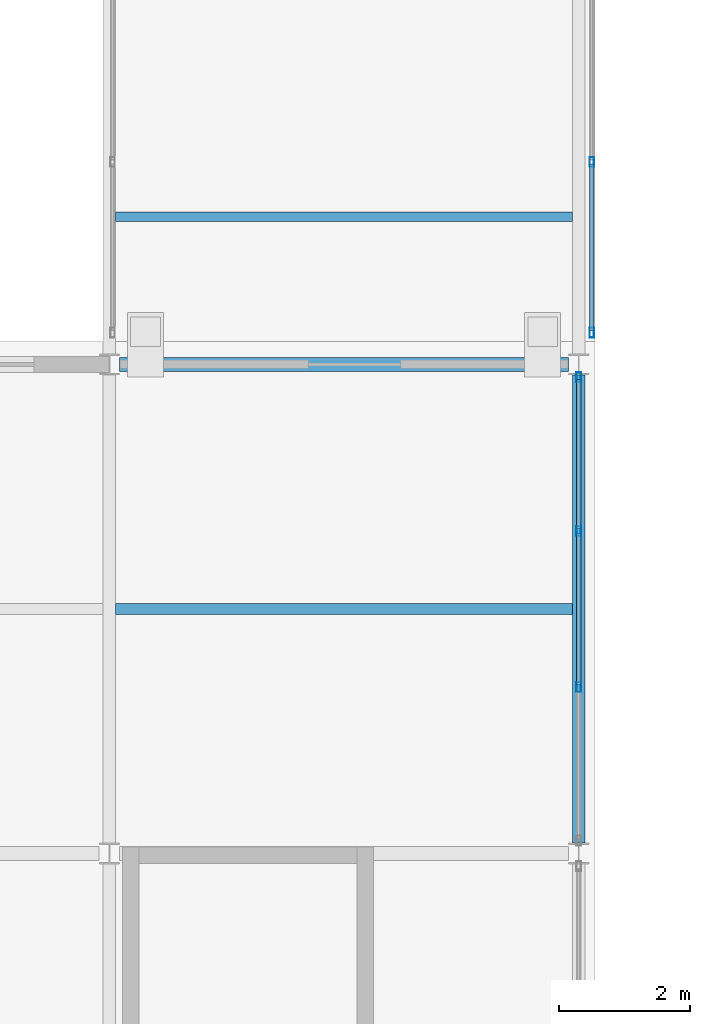
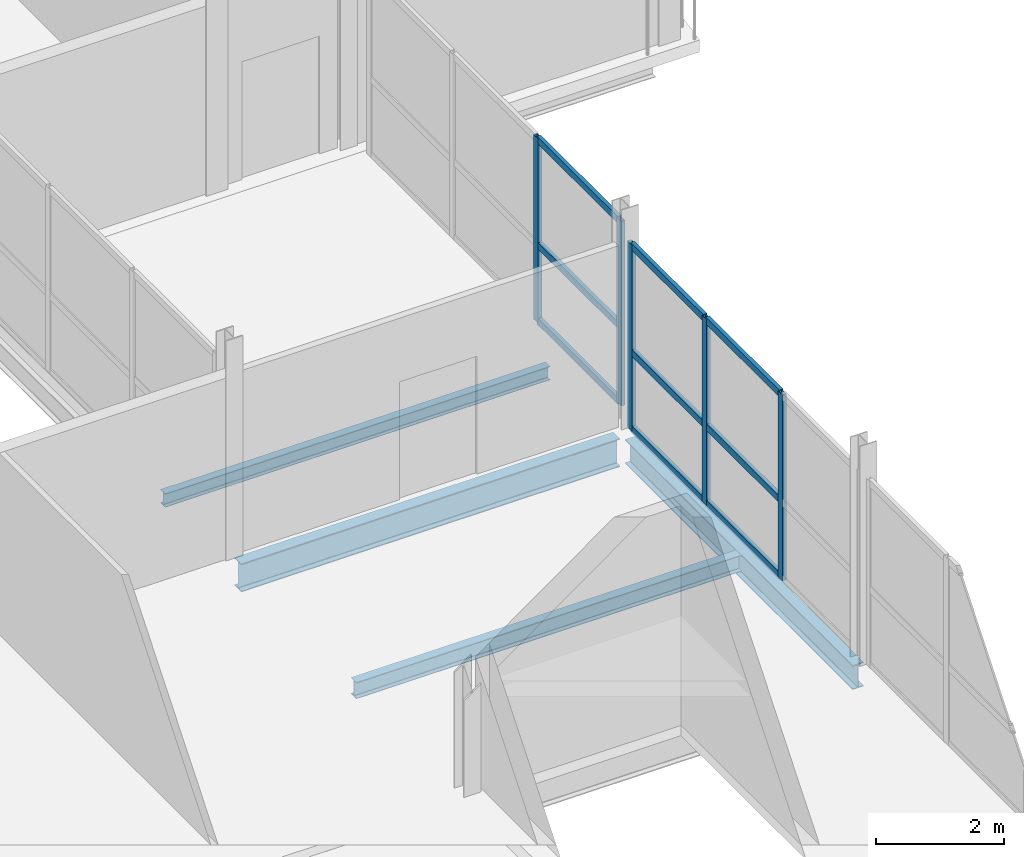
# One storey, part 19 of 60: 14 members, 4 beams, 2 elements without a shape of their own.
"""IFC4 building model written with IfcOpenShell, lengths in metres."""

from ifc_helpers import new_model, si_unit, direction, frame, origin, origin_2d, place, context, subcontext, project, spatial, hollow_rectangle, i_section, extrude, material, layer, layer_set, material_profile, profile_set, type_object, element, aggregate, save


model = new_model("IFC4")

# Units and contexts
model_context = context("Model", 3, precision=1e-05, world=origin(), true_north=direction((0.0, 1.0)))
body_context = subcontext(model_context, "Body", "Model", "MODEL_VIEW")
ifc_project = project(units=[si_unit("LENGTHUNIT", "METRE"), si_unit("AREAUNIT", "SQUARE_METRE"), si_unit("VOLUMEUNIT", "CUBIC_METRE"), si_unit("PLANEANGLEUNIT", "RADIAN"), si_unit("MASSUNIT", "GRAM", prefix="KILO")], contexts=[model_context])

# Site, building, storey
site_placement = place(None, origin())
site = spatial("IfcSite", under=ifc_project, at=site_placement, CompositionType="ELEMENT")
building_placement = place(site_placement, origin())
building = spatial("IfcBuilding", under=site, at=building_placement, Name="Quillay Park Conservatory", CompositionType="ELEMENT")
storey_placement = place(building_placement, frame((0.0, 0.0, 9.89990234375)))
storey = spatial("IfcBuildingStorey", under=building, at=storey_placement, Name="L02", CompositionType="ELEMENT", Elevation=9.89990234375)

# Beams
ifc_material_1 = material(Name="Steel ASTM A992 Grade 50", Category="steel")
ifc_material_profile_1 = material_profile(ifc_material_1, i_section(OverallWidth=0.14599609375, OverallDepth=0.258056640625, WebThickness=0.006103515625, FlangeThickness=0.009033203125, FilletRadius=0.009033203125, at=origin_2d()), Name="W250x33")
ifc_profile_set_1 = profile_set([ifc_material_profile_1], Name="Steel ASTM A992 Grade 50")
beam_type_1 = type_object("IfcBeamType", Name="COMPOSITE FLOOR JOIST W250 X33", PredefinedType="JOIST", material=ifc_profile_set_1)
beam_1_placement = place(storey_placement, frame((15.095947265625, 56.5, -0.348876953125), z_axis=(1.0, 0.0, 0.0), x_axis=(0.0, 1.0, 0.0)))
element("IfcBeam", 1, at=beam_1_placement, inside=storey, type_object=beam_type_1, Name="L02 beam BM-LB1J-1583", PredefinedType="JOIST", context=body_context, shape_type="SweptSolid", body=[
    extrude(i_section(OverallWidth=0.14599609375, OverallDepth=0.258056640625, WebThickness=0.006103515625, FlangeThickness=0.009033203125, FilletRadius=0.009033203125, at=origin_2d()), origin(), (0.0, 0.0, 1.0), 6.9580078125),
])
ifc_material_2 = material(Name="Steel ASTM A992 Grade 50", Category="steel")
ifc_material_profile_2 = material_profile(ifc_material_2, i_section(OverallWidth=0.166015625, OverallDepth=0.31298828125, WebThickness=0.006591796875, FlangeThickness=0.01123046875, FilletRadius=0.010009765625, at=origin_2d()), Name="W310x45")
ifc_profile_set_2 = profile_set([ifc_material_profile_2], Name="Steel ASTM A992 Grade 50")
beam_type_2 = type_object("IfcBeamType", Name="COMPOSITE FLOOR JOIST W310 X45", PredefinedType="JOIST", material=ifc_profile_set_2)
beam_2_placement = place(storey_placement, frame((15.095947265625, 50.52490234375, -0.351318359375), z_axis=(1.0, 0.0, 0.0), x_axis=(0.0, 1.0, 0.0)))
element("IfcBeam", 2, at=beam_2_placement, inside=storey, type_object=beam_type_2, Name="L02 beam BM-V3J-1397", PredefinedType="JOIST", context=body_context, shape_type="SweptSolid", body=[
    extrude(i_section(OverallWidth=0.166015625, OverallDepth=0.31298828125, WebThickness=0.006591796875, FlangeThickness=0.01123046875, FilletRadius=0.010009765625, at=origin_2d()), origin(), (0.0, 0.0, 1.0), 6.9580078125),
])

# Curtain wall, members
ifc_material_3 = material(Name="Thermally Broken Anodised Aluminium 6063-T6", Category="aluminium")
ifc_layer_1 = layer(ifc_material_3, 0.1650390625)
ifc_layer_set_1 = layer_set([ifc_layer_1], Name="UNITISED CURTAIN WALL PODIUM (Thermally Broken Anodised Aluminium 6063-T6)")
curtain_wall_type_1 = type_object("IfcCurtainWallType", Name="UNITISED CURTAIN WALL PODIUM", PredefinedType="USERDEFINED", material=ifc_layer_set_1)
curtain_wall_1_placement = place(storey_placement, origin())
curtain_wall_1 = element("IfcCurtainWall", 3, at=curtain_wall_1_placement, inside=storey, type_object=curtain_wall_type_1, Name="L02 Unitised Curtain Wall 209", ObjectType="UNITISED CURTAIN WALL", PredefinedType="USERDEFINED")
ifc_material_4 = material(Name="Thermally Broken Anodised Aluminium 6063-T6", Category="aluminium")
ifc_material_profile_3 = material_profile(ifc_material_4, hollow_rectangle(XDim=0.070068359375, YDim=0.14990234375, WallThickness=0.00341796875, at=origin_2d()), Name="AL70x150x3.5")
ifc_profile_set_3 = profile_set([ifc_material_profile_3], Name="Thermally Broken Anodised Aluminium 6063-T6")
member_type_1 = type_object("IfcMemberType", Name="CURTAIN WALL MULLION 70 X150", PredefinedType="MULLION", material=ifc_profile_set_3)
member_1_placement = place(storey_placement, frame((22.14990234375, 54.054931640625, 0.0), z_axis=(0.0, 0.0, 1.0), x_axis=(1.0, 0.0, 0.0)))
member_1 = element("IfcMember", 4, at=member_1_placement, type_object=member_type_1, Name="CW-P1 mullion 1", PredefinedType="MULLION", context=body_context, shape_type="SweptSolid", body=[
    extrude(hollow_rectangle(XDim=0.070068359375, YDim=0.14990234375, WallThickness=0.00341796875, at=origin_2d()), origin(), (0.0, 0.0, 1.0), 3.55419921875),
])
member_2_placement = place(storey_placement, frame((22.14990234375, 51.71337890625, 0.0), z_axis=(0.0, 0.0, 1.0), x_axis=(1.0, 0.0, 0.0)))
member_2 = element("IfcMember", 5, at=member_2_placement, type_object=member_type_1, Name="CW-P1 mullion 2", PredefinedType="MULLION", context=body_context, shape_type="SweptSolid", body=[
    extrude(hollow_rectangle(XDim=0.070068359375, YDim=0.14990234375, WallThickness=0.00341796875, at=origin_2d()), origin(), (0.0, 0.0, 1.0), 3.55419921875),
])
member_3_placement = place(storey_placement, frame((22.14990234375, 49.336669921875, 0.0), z_axis=(0.0, 0.0, 1.0), x_axis=(1.0, 0.0, 0.0)))
member_3 = element("IfcMember", 6, at=member_3_placement, type_object=member_type_1, Name="CW-P1 mullion 3", PredefinedType="MULLION", context=body_context, shape_type="SweptSolid", body=[
    extrude(hollow_rectangle(XDim=0.070068359375, YDim=0.14990234375, WallThickness=0.00341796875, at=origin_2d()), origin(), (0.0, 0.0, 1.0), 3.55419921875),
])

ifc_material_5 = material(Name="Thermally Broken Anodised Aluminium 6063-T6", Category="aluminium")
ifc_layer_2 = layer(ifc_material_5, 0.155029296875)
ifc_layer_set_2 = layer_set([ifc_layer_2], Name="UNITISED CURTAIN WALL BRIDGE (Thermally Broken Anodised Aluminium 6063-T6)")
curtain_wall_type_2 = type_object("IfcCurtainWallType", Name="UNITISED CURTAIN WALL BRIDGE", PredefinedType="USERDEFINED", material=ifc_layer_set_2)
curtain_wall_2_placement = place(storey_placement, origin())
curtain_wall_2 = element("IfcCurtainWall", 7, at=curtain_wall_2_placement, inside=storey, type_object=curtain_wall_type_2, Name="L02 Unitised Curtain Wall 218", ObjectType="UNITISED CURTAIN WALL", PredefinedType="USERDEFINED")
member_4_placement = place(storey_placement, frame((22.35009765625, 57.333251953125, 0.0), z_axis=(0.0, 0.0, 1.0), x_axis=(1.0, 0.0, 0.0)))
member_4 = element("IfcMember", 8, at=member_4_placement, type_object=member_type_1, Name="CW-B1 mullion 3", PredefinedType="MULLION", context=body_context, shape_type="SweptSolid", body=[
    extrude(hollow_rectangle(XDim=0.070068359375, YDim=0.14990234375, WallThickness=0.00341796875, at=origin_2d()), origin(), (0.0, 0.0, 1.0), 3.524169921875),
])
member_5_placement = place(storey_placement, frame((22.35009765625, 54.735107421875, 0.0), z_axis=(0.0, 0.0, 1.0), x_axis=(1.0, 0.0, 0.0)))
member_5 = element("IfcMember", 9, at=member_5_placement, type_object=member_type_1, Name="CW-B1 mullion 4", PredefinedType="MULLION", context=body_context, shape_type="SweptSolid", body=[
    extrude(hollow_rectangle(XDim=0.070068359375, YDim=0.14990234375, WallThickness=0.00341796875, at=origin_2d()), origin(), (0.0, 0.0, 1.0), 3.524169921875),
])

# Member
ifc_material_6 = material(Name="Thermally Broken Anodised Aluminium 6063-T6", Category="aluminium")
ifc_material_profile_4 = material_profile(ifc_material_6, hollow_rectangle(XDim=0.070068359375, YDim=0.1298828125, WallThickness=0.003173828125, at=origin_2d()), Name="AL70x130x3.2")
ifc_profile_set_4 = profile_set([ifc_material_profile_4], Name="Thermally Broken Anodised Aluminium 6063-T6")
member_type_2 = type_object("IfcMemberType", Name="CURTAIN WALL TRANSOM 70 X130", PredefinedType="USERDEFINED", material=ifc_profile_set_4)
member_6_placement = place(storey_placement, frame((22.14990234375, 54.02001953125, 0.03515625), z_axis=(0.0, -1.0, 0.0), x_axis=(1.0, 0.0, 0.0)))
member_6 = element("IfcMember", 10, at=member_6_placement, type_object=member_type_2, Name="CW-P1 transom 1.1", ObjectType="TRANSOM", PredefinedType="USERDEFINED", context=body_context, shape_type="SweptSolid", body=[
    extrude(hollow_rectangle(XDim=0.070068359375, YDim=0.1298828125, WallThickness=0.003173828125, at=origin_2d()), origin(), (0.0, 0.0, 1.0), 2.271728515625),
])

member_7_placement = place(storey_placement, frame((22.14990234375, 54.02001953125, 1.49267578125), z_axis=(0.0, -1.0, 0.0), x_axis=(1.0, 0.0, 0.0)))
member_7 = element("IfcMember", 11, at=member_7_placement, type_object=member_type_2, Name="CW-P1 transom 1.2", ObjectType="TRANSOM", PredefinedType="USERDEFINED", context=body_context, shape_type="SweptSolid", body=[
    extrude(hollow_rectangle(XDim=0.070068359375, YDim=0.1298828125, WallThickness=0.003173828125, at=origin_2d()), origin(), (0.0, 0.0, 1.0), 2.271728515625),
])

member_8_placement = place(storey_placement, frame((22.14990234375, 54.02001953125, 3.51904296875), z_axis=(0.0, -1.0, 0.0), x_axis=(1.0, 0.0, 0.0)))
member_8 = element("IfcMember", 12, at=member_8_placement, type_object=member_type_2, Name="CW-P1 transom 1.3", ObjectType="TRANSOM", PredefinedType="USERDEFINED", context=body_context, shape_type="SweptSolid", body=[
    extrude(hollow_rectangle(XDim=0.070068359375, YDim=0.1298828125, WallThickness=0.003173828125, at=origin_2d()), origin(), (0.0, 0.0, 1.0), 2.271728515625),
])

member_9_placement = place(storey_placement, frame((22.14990234375, 51.67822265625, 0.03515625), z_axis=(0.0, -1.0, 0.0), x_axis=(1.0, 0.0, 0.0)))
member_9 = element("IfcMember", 13, at=member_9_placement, type_object=member_type_2, Name="CW-P1 transom 2.1", ObjectType="TRANSOM", PredefinedType="USERDEFINED", context=body_context, shape_type="SweptSolid", body=[
    extrude(hollow_rectangle(XDim=0.070068359375, YDim=0.1298828125, WallThickness=0.003173828125, at=origin_2d()), origin(), (0.0, 0.0, 1.0), 2.306640625),
])

member_10_placement = place(storey_placement, frame((22.14990234375, 51.67822265625, 1.49267578125), z_axis=(0.0, -1.0, 0.0), x_axis=(1.0, 0.0, 0.0)))
member_10 = element("IfcMember", 14, at=member_10_placement, type_object=member_type_2, Name="CW-P1 transom 2.2", ObjectType="TRANSOM", PredefinedType="USERDEFINED", context=body_context, shape_type="SweptSolid", body=[
    extrude(hollow_rectangle(XDim=0.070068359375, YDim=0.1298828125, WallThickness=0.003173828125, at=origin_2d()), origin(), (0.0, 0.0, 1.0), 2.306640625),
])

member_11_placement = place(storey_placement, frame((22.14990234375, 51.67822265625, 3.51904296875), z_axis=(0.0, -1.0, 0.0), x_axis=(1.0, 0.0, 0.0)))
member_11 = element("IfcMember", 15, at=member_11_placement, type_object=member_type_2, Name="CW-P1 transom 2.3", ObjectType="TRANSOM", PredefinedType="USERDEFINED", context=body_context, shape_type="SweptSolid", body=[
    extrude(hollow_rectangle(XDim=0.070068359375, YDim=0.1298828125, WallThickness=0.003173828125, at=origin_2d()), origin(), (0.0, 0.0, 1.0), 2.306640625),
])

aggregate(curtain_wall_1, [member_1, member_2, member_3, member_6, member_7, member_8, member_9, member_10, member_11])

member_12_placement = place(storey_placement, frame((22.35009765625, 57.29833984375, 0.03515625), z_axis=(0.0, -1.0, 0.0), x_axis=(1.0, 0.0, 0.0)))
member_12 = element("IfcMember", 16, at=member_12_placement, type_object=member_type_2, Name="CW-B1 transom 3.1", ObjectType="TRANSOM", PredefinedType="USERDEFINED", context=body_context, shape_type="SweptSolid", body=[
    extrude(hollow_rectangle(XDim=0.070068359375, YDim=0.1298828125, WallThickness=0.003173828125, at=origin_2d()), origin(), (0.0, 0.0, 1.0), 2.5283203125),
])

member_13_placement = place(storey_placement, frame((22.35009765625, 57.29833984375, 1.480224609375), z_axis=(0.0, -1.0, 0.0), x_axis=(1.0, 0.0, 0.0)))
member_13 = element("IfcMember", 17, at=member_13_placement, type_object=member_type_2, Name="CW-B1 transom 3.2", ObjectType="TRANSOM", PredefinedType="USERDEFINED", context=body_context, shape_type="SweptSolid", body=[
    extrude(hollow_rectangle(XDim=0.070068359375, YDim=0.1298828125, WallThickness=0.003173828125, at=origin_2d()), origin(), (0.0, 0.0, 1.0), 2.5283203125),
])

member_14_placement = place(storey_placement, frame((22.35009765625, 57.29833984375, 3.489013671875), z_axis=(0.0, -1.0, 0.0), x_axis=(1.0, 0.0, 0.0)))
member_14 = element("IfcMember", 18, at=member_14_placement, type_object=member_type_2, Name="CW-B1 transom 3.3", ObjectType="TRANSOM", PredefinedType="USERDEFINED", context=body_context, shape_type="SweptSolid", body=[
    extrude(hollow_rectangle(XDim=0.070068359375, YDim=0.1298828125, WallThickness=0.003173828125, at=origin_2d()), origin(), (0.0, 0.0, 1.0), 2.5283203125),
])

aggregate(curtain_wall_2, [member_4, member_5, member_12, member_13, member_14])

# Beams
ifc_material_7 = material(Name="Steel ASTM A992 Grade 50", Category="steel")
ifc_material_profile_5 = material_profile(ifc_material_7, i_section(OverallWidth=0.19189453125, OverallDepth=0.462890625, WebThickness=0.010498046875, FlangeThickness=0.017578125, FilletRadius=0.012939453125, at=origin_2d()), Name="W460x89")
ifc_profile_set_5 = profile_set([ifc_material_profile_5], Name="Steel ASTM A992 Grade 50")
beam_type_3 = type_object("IfcBeamType", Name="PRIMARY FLOOR GIRDER W460 X89", PredefinedType="BEAM", material=ifc_profile_set_5)
beam_3_placement = place(storey_placement, frame((22.14990234375, 46.96142578125, -0.426513671875), z_axis=(0.0, 1.0, 0.0), x_axis=(-1.0, 0.0, 0.0)))
element("IfcBeam", 19, at=beam_3_placement, inside=storey, type_object=beam_type_3, Name="L02 beam BM-V3Y-1377", PredefinedType="BEAM", context=body_context, shape_type="SweptSolid", body=[
    extrude(i_section(OverallWidth=0.19189453125, OverallDepth=0.462890625, WebThickness=0.010498046875, FlangeThickness=0.017578125, FilletRadius=0.012939453125, at=origin_2d()), origin(), (0.0, 0.0, 1.0), 7.126953125),
])
ifc_material_8 = material(Name="Steel ASTM A992 Grade 50", Category="steel")
ifc_material_profile_6 = material_profile(ifc_material_8, i_section(OverallWidth=0.2109375, OverallDepth=0.5390625, WebThickness=0.01171875, FlangeThickness=0.018798828125, FilletRadius=0.013916015625, at=origin_2d()), Name="W530x109")
ifc_profile_set_6 = profile_set([ifc_material_profile_6], Name="Steel ASTM A992 Grade 50")
beam_type_4 = type_object("IfcBeamType", Name="PRIMARY FLOOR GIRDER W530 X109", PredefinedType="BEAM", material=ifc_profile_set_6)
beam_4_placement = place(storey_placement, frame((15.154541015625, 54.25, -0.46435546875), z_axis=(1.0, 0.0, 0.0), x_axis=(0.0, 1.0, 0.0)))
element("IfcBeam", 20, at=beam_4_placement, inside=storey, type_object=beam_type_4, Name="L02 beam BM-V3X-1349", PredefinedType="BEAM", context=body_context, shape_type="SweptSolid", body=[
    extrude(i_section(OverallWidth=0.2109375, OverallDepth=0.5390625, WebThickness=0.01171875, FlangeThickness=0.018798828125, FilletRadius=0.013916015625, at=origin_2d()), origin(), (0.0, 0.0, 1.0), 6.841064453125),
])

save(model, "model.ifc")
